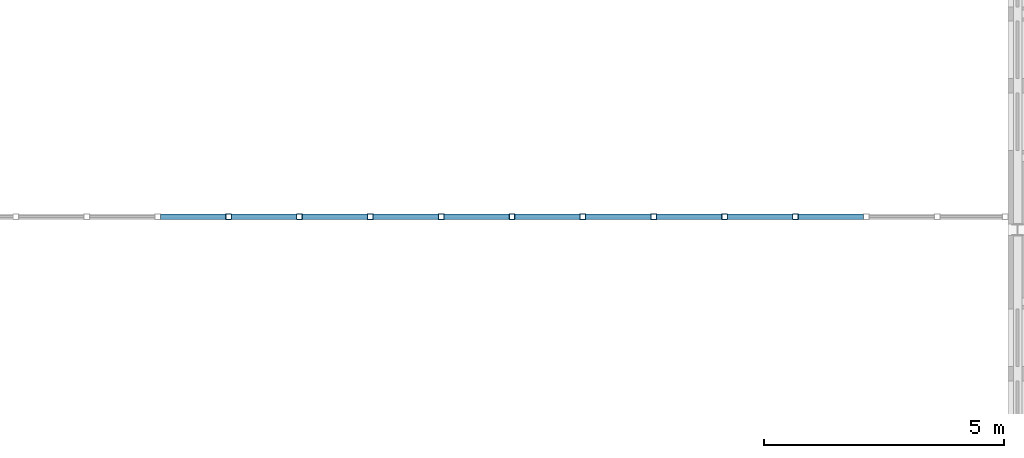
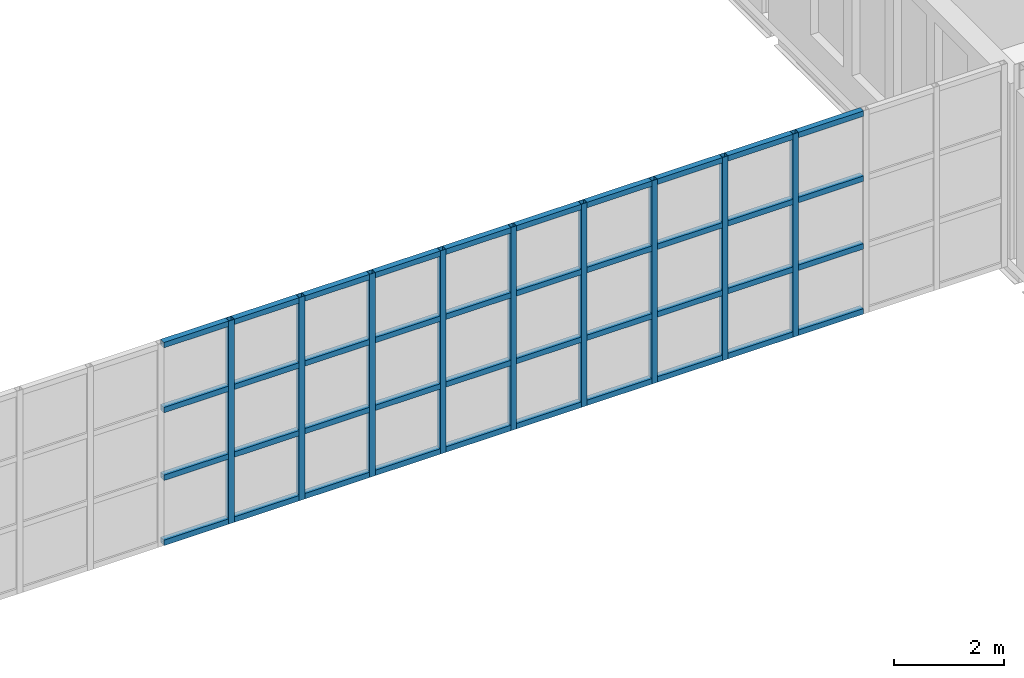
# One storey, part 31 of 131: 49 members, 1 element without a shape of its own.
"""IFC4 building model written with IfcOpenShell, lengths in metres."""

from ifc_helpers import new_model, si_unit, direction, frame, origin, origin_2d, place, context, subcontext, project, spatial, hollow_rectangle, extrude, material, material_profile, profile_set, type_object, element, aggregate, save


model = new_model("IFC4")

# Units and contexts
model_context = context("Model", 3, precision=1e-05, world=origin(), true_north=direction((0.0, 1.0)))
body_context = subcontext(model_context, "Body", "Model", "MODEL_VIEW")
ifc_project = project(units=[si_unit("LENGTHUNIT", "METRE"), si_unit("AREAUNIT", "SQUARE_METRE"), si_unit("VOLUMEUNIT", "CUBIC_METRE"), si_unit("PLANEANGLEUNIT", "RADIAN"), si_unit("MASSUNIT", "GRAM", prefix="KILO")], contexts=[model_context])

# Site, building, storey
site_placement = place(None, origin())
site = spatial("IfcSite", under=ifc_project, at=site_placement, CompositionType="ELEMENT")
building_placement = place(site_placement, origin())
building = spatial("IfcBuilding", under=site, at=building_placement, Name="Golden Quay Civic Hall", CompositionType="ELEMENT")
storey_placement = place(building_placement, frame((0.0, 0.0, 9.89990234375)))
storey = spatial("IfcBuildingStorey", under=building, at=storey_placement, Name="L02", CompositionType="ELEMENT", Elevation=9.89990234375)

# Curtain wall, members
ifc_material_1 = material(Name="Fire-resisting glass and steel", Category="steel")
curtain_wall_type = type_object("IfcCurtainWallType", Name="Fire-resisting glazed curtain wall EI 120", PredefinedType="NOTDEFINED", material=ifc_material_1)
curtain_wall_placement = place(storey_placement, origin())
curtain_wall = element("IfcCurtainWall", 1, at=curtain_wall_placement, inside=storey, type_object=curtain_wall_type, Name="CW3 curtain wall", PredefinedType="NOTDEFINED")
ifc_material_2 = material(Name="Steel S355", Category="steel")
ifc_material_profile_1 = material_profile(ifc_material_2, hollow_rectangle(XDim=0.1201171875, YDim=0.1201171875, WallThickness=0.008056640625, at=origin_2d()), Name="SHS 120x120x8")
ifc_profile_set_1 = profile_set([ifc_material_profile_1], Name="Steel S355")
member_type_1 = type_object("IfcMemberType", Name="Fire-resisting steel mullion SHS 120x120x8", PredefinedType="MULLION", material=ifc_profile_set_1)
member_1_placement = place(storey_placement, frame((82.54443359375, 18.27001953125, -0.199951171875), z_axis=(0.0, 0.0, 1.0), x_axis=(0.0, 1.0, 0.0)))
member_1 = element("IfcMember", 2, at=member_1_placement, type_object=member_type_1, Name="CW3 mullion 8", PredefinedType="MULLION", context=body_context, shape_type="SweptSolid", body=[
    extrude(hollow_rectangle(XDim=0.1201171875, YDim=0.1201171875, WallThickness=0.008056640625, at=origin_2d()), origin(), (0.0, 0.0, 1.0), 4.5),
])
member_2_placement = place(storey_placement, frame((84.022216796875, 18.27001953125, -0.199951171875), z_axis=(0.0, 0.0, 1.0), x_axis=(0.0, 1.0, 0.0)))
member_2 = element("IfcMember", 3, at=member_2_placement, type_object=member_type_1, Name="CW3 mullion 9", PredefinedType="MULLION", context=body_context, shape_type="SweptSolid", body=[
    extrude(hollow_rectangle(XDim=0.1201171875, YDim=0.1201171875, WallThickness=0.008056640625, at=origin_2d()), origin(), (0.0, 0.0, 1.0), 4.5),
])
member_3_placement = place(storey_placement, frame((85.5, 18.27001953125, -0.199951171875), z_axis=(0.0, 0.0, 1.0), x_axis=(0.0, 1.0, 0.0)))
member_3 = element("IfcMember", 4, at=member_3_placement, type_object=member_type_1, Name="CW3 mullion 10", PredefinedType="MULLION", context=body_context, shape_type="SweptSolid", body=[
    extrude(hollow_rectangle(XDim=0.1201171875, YDim=0.1201171875, WallThickness=0.008056640625, at=origin_2d()), origin(), (0.0, 0.0, 1.0), 4.5),
])
member_4_placement = place(storey_placement, frame((86.977783203125, 18.27001953125, -0.199951171875), z_axis=(0.0, 0.0, 1.0), x_axis=(0.0, 1.0, 0.0)))
member_4 = element("IfcMember", 5, at=member_4_placement, type_object=member_type_1, Name="CW3 mullion 11", PredefinedType="MULLION", context=body_context, shape_type="SweptSolid", body=[
    extrude(hollow_rectangle(XDim=0.1201171875, YDim=0.1201171875, WallThickness=0.008056640625, at=origin_2d()), origin(), (0.0, 0.0, 1.0), 4.5),
])
member_5_placement = place(storey_placement, frame((88.45556640625, 18.27001953125, -0.199951171875), z_axis=(0.0, 0.0, 1.0), x_axis=(0.0, 1.0, 0.0)))
member_5 = element("IfcMember", 6, at=member_5_placement, type_object=member_type_1, Name="CW3 mullion 12", PredefinedType="MULLION", context=body_context, shape_type="SweptSolid", body=[
    extrude(hollow_rectangle(XDim=0.1201171875, YDim=0.1201171875, WallThickness=0.008056640625, at=origin_2d()), origin(), (0.0, 0.0, 1.0), 4.5),
])
member_6_placement = place(storey_placement, frame((89.933349609375, 18.27001953125, -0.199951171875), z_axis=(0.0, 0.0, 1.0), x_axis=(0.0, 1.0, 0.0)))
member_6 = element("IfcMember", 7, at=member_6_placement, type_object=member_type_1, Name="CW3 mullion 13", PredefinedType="MULLION", context=body_context, shape_type="SweptSolid", body=[
    extrude(hollow_rectangle(XDim=0.1201171875, YDim=0.1201171875, WallThickness=0.008056640625, at=origin_2d()), origin(), (0.0, 0.0, 1.0), 4.5),
])
member_7_placement = place(storey_placement, frame((91.4111328125, 18.27001953125, -0.199951171875), z_axis=(0.0, 0.0, 1.0), x_axis=(0.0, 1.0, 0.0)))
member_7 = element("IfcMember", 8, at=member_7_placement, type_object=member_type_1, Name="CW3 mullion 14", PredefinedType="MULLION", context=body_context, shape_type="SweptSolid", body=[
    extrude(hollow_rectangle(XDim=0.1201171875, YDim=0.1201171875, WallThickness=0.008056640625, at=origin_2d()), origin(), (0.0, 0.0, 1.0), 4.5),
])
member_8_placement = place(storey_placement, frame((92.888916015625, 18.27001953125, -0.199951171875), z_axis=(0.0, 0.0, 1.0), x_axis=(0.0, 1.0, 0.0)))
member_8 = element("IfcMember", 9, at=member_8_placement, type_object=member_type_1, Name="CW3 mullion 15", PredefinedType="MULLION", context=body_context, shape_type="SweptSolid", body=[
    extrude(hollow_rectangle(XDim=0.1201171875, YDim=0.1201171875, WallThickness=0.008056640625, at=origin_2d()), origin(), (0.0, 0.0, 1.0), 4.5),
])
member_9_placement = place(storey_placement, frame((94.36669921875, 18.27001953125, -0.199951171875), z_axis=(0.0, 0.0, 1.0), x_axis=(0.0, 1.0, 0.0)))
member_9 = element("IfcMember", 10, at=member_9_placement, type_object=member_type_1, Name="CW3 mullion 16", PredefinedType="MULLION", context=body_context, shape_type="SweptSolid", body=[
    extrude(hollow_rectangle(XDim=0.1201171875, YDim=0.1201171875, WallThickness=0.008056640625, at=origin_2d()), origin(), (0.0, 0.0, 1.0), 4.5),
])
ifc_material_3 = material(Name="Steel S355", Category="steel")
ifc_material_profile_2 = material_profile(ifc_material_3, hollow_rectangle(XDim=0.1201171875, YDim=0.1201171875, WallThickness=0.008056640625, at=origin_2d()), Name="SHS 120x120x8")
ifc_profile_set_2 = profile_set([ifc_material_profile_2], Name="Steel S355")
member_type_2 = type_object("IfcMemberType", Name="Fire-resisting steel transom SHS 120x120x8", PredefinedType="USERDEFINED", material=ifc_profile_set_2)
member_10_placement = place(storey_placement, frame((81.126708984375, 18.27001953125, -0.139892578125), z_axis=(1.0, 0.0, 0.0), x_axis=(0.0, 1.0, 0.0)))
member_10 = element("IfcMember", 11, at=member_10_placement, type_object=member_type_2, Name="CW3 transom 7.1", ObjectType="TRANSOM", PredefinedType="USERDEFINED", context=body_context, shape_type="SweptSolid", body=[
    extrude(hollow_rectangle(XDim=0.1201171875, YDim=0.1201171875, WallThickness=0.008056640625, at=origin_2d()), origin(), (0.0, 0.0, 1.0), 1.357666015625),
])
member_11_placement = place(storey_placement, frame((81.126708984375, 18.27001953125, 1.300048828125), z_axis=(1.0, 0.0, 0.0), x_axis=(0.0, 1.0, 0.0)))
member_11 = element("IfcMember", 12, at=member_11_placement, type_object=member_type_2, Name="CW3 transom 7.2", ObjectType="TRANSOM", PredefinedType="USERDEFINED", context=body_context, shape_type="SweptSolid", body=[
    extrude(hollow_rectangle(XDim=0.1201171875, YDim=0.1201171875, WallThickness=0.008056640625, at=origin_2d()), origin(), (0.0, 0.0, 1.0), 1.357666015625),
])
member_12_placement = place(storey_placement, frame((81.126708984375, 18.27001953125, 2.800048828125), z_axis=(1.0, 0.0, 0.0), x_axis=(0.0, 1.0, 0.0)))
member_12 = element("IfcMember", 13, at=member_12_placement, type_object=member_type_2, Name="CW3 transom 7.3", ObjectType="TRANSOM", PredefinedType="USERDEFINED", context=body_context, shape_type="SweptSolid", body=[
    extrude(hollow_rectangle(XDim=0.1201171875, YDim=0.1201171875, WallThickness=0.008056640625, at=origin_2d()), origin(), (0.0, 0.0, 1.0), 1.357666015625),
])
member_13_placement = place(storey_placement, frame((81.126708984375, 18.27001953125, 4.239990234375), z_axis=(1.0, 0.0, 0.0), x_axis=(0.0, 1.0, 0.0)))
member_13 = element("IfcMember", 14, at=member_13_placement, type_object=member_type_2, Name="CW3 transom 7.4", ObjectType="TRANSOM", PredefinedType="USERDEFINED", context=body_context, shape_type="SweptSolid", body=[
    extrude(hollow_rectangle(XDim=0.1201171875, YDim=0.1201171875, WallThickness=0.008056640625, at=origin_2d()), origin(), (0.0, 0.0, 1.0), 1.357666015625),
])
member_14_placement = place(storey_placement, frame((82.6044921875, 18.27001953125, -0.139892578125), z_axis=(1.0, 0.0, 0.0), x_axis=(0.0, 1.0, 0.0)))
member_14 = element("IfcMember", 15, at=member_14_placement, type_object=member_type_2, Name="CW3 transom 8.1", ObjectType="TRANSOM", PredefinedType="USERDEFINED", context=body_context, shape_type="SweptSolid", body=[
    extrude(hollow_rectangle(XDim=0.1201171875, YDim=0.1201171875, WallThickness=0.008056640625, at=origin_2d()), origin(), (0.0, 0.0, 1.0), 1.357666015625),
])
member_15_placement = place(storey_placement, frame((82.6044921875, 18.27001953125, 1.300048828125), z_axis=(1.0, 0.0, 0.0), x_axis=(0.0, 1.0, 0.0)))
member_15 = element("IfcMember", 16, at=member_15_placement, type_object=member_type_2, Name="CW3 transom 8.2", ObjectType="TRANSOM", PredefinedType="USERDEFINED", context=body_context, shape_type="SweptSolid", body=[
    extrude(hollow_rectangle(XDim=0.1201171875, YDim=0.1201171875, WallThickness=0.008056640625, at=origin_2d()), origin(), (0.0, 0.0, 1.0), 1.357666015625),
])
member_16_placement = place(storey_placement, frame((82.6044921875, 18.27001953125, 2.800048828125), z_axis=(1.0, 0.0, 0.0), x_axis=(0.0, 1.0, 0.0)))
member_16 = element("IfcMember", 17, at=member_16_placement, type_object=member_type_2, Name="CW3 transom 8.3", ObjectType="TRANSOM", PredefinedType="USERDEFINED", context=body_context, shape_type="SweptSolid", body=[
    extrude(hollow_rectangle(XDim=0.1201171875, YDim=0.1201171875, WallThickness=0.008056640625, at=origin_2d()), origin(), (0.0, 0.0, 1.0), 1.357666015625),
])
member_17_placement = place(storey_placement, frame((82.6044921875, 18.27001953125, 4.239990234375), z_axis=(1.0, 0.0, 0.0), x_axis=(0.0, 1.0, 0.0)))
member_17 = element("IfcMember", 18, at=member_17_placement, type_object=member_type_2, Name="CW3 transom 8.4", ObjectType="TRANSOM", PredefinedType="USERDEFINED", context=body_context, shape_type="SweptSolid", body=[
    extrude(hollow_rectangle(XDim=0.1201171875, YDim=0.1201171875, WallThickness=0.008056640625, at=origin_2d()), origin(), (0.0, 0.0, 1.0), 1.357666015625),
])
member_18_placement = place(storey_placement, frame((84.082275390625, 18.27001953125, -0.139892578125), z_axis=(1.0, 0.0, 0.0), x_axis=(0.0, 1.0, 0.0)))
member_18 = element("IfcMember", 19, at=member_18_placement, type_object=member_type_2, Name="CW3 transom 9.1", ObjectType="TRANSOM", PredefinedType="USERDEFINED", context=body_context, shape_type="SweptSolid", body=[
    extrude(hollow_rectangle(XDim=0.1201171875, YDim=0.1201171875, WallThickness=0.008056640625, at=origin_2d()), origin(), (0.0, 0.0, 1.0), 1.357666015625),
])
member_19_placement = place(storey_placement, frame((84.082275390625, 18.27001953125, 1.300048828125), z_axis=(1.0, 0.0, 0.0), x_axis=(0.0, 1.0, 0.0)))
member_19 = element("IfcMember", 20, at=member_19_placement, type_object=member_type_2, Name="CW3 transom 9.2", ObjectType="TRANSOM", PredefinedType="USERDEFINED", context=body_context, shape_type="SweptSolid", body=[
    extrude(hollow_rectangle(XDim=0.1201171875, YDim=0.1201171875, WallThickness=0.008056640625, at=origin_2d()), origin(), (0.0, 0.0, 1.0), 1.357666015625),
])
member_20_placement = place(storey_placement, frame((84.082275390625, 18.27001953125, 2.800048828125), z_axis=(1.0, 0.0, 0.0), x_axis=(0.0, 1.0, 0.0)))
member_20 = element("IfcMember", 21, at=member_20_placement, type_object=member_type_2, Name="CW3 transom 9.3", ObjectType="TRANSOM", PredefinedType="USERDEFINED", context=body_context, shape_type="SweptSolid", body=[
    extrude(hollow_rectangle(XDim=0.1201171875, YDim=0.1201171875, WallThickness=0.008056640625, at=origin_2d()), origin(), (0.0, 0.0, 1.0), 1.357666015625),
])
member_21_placement = place(storey_placement, frame((84.082275390625, 18.27001953125, 4.239990234375), z_axis=(1.0, 0.0, 0.0), x_axis=(0.0, 1.0, 0.0)))
member_21 = element("IfcMember", 22, at=member_21_placement, type_object=member_type_2, Name="CW3 transom 9.4", ObjectType="TRANSOM", PredefinedType="USERDEFINED", context=body_context, shape_type="SweptSolid", body=[
    extrude(hollow_rectangle(XDim=0.1201171875, YDim=0.1201171875, WallThickness=0.008056640625, at=origin_2d()), origin(), (0.0, 0.0, 1.0), 1.357666015625),
])
member_22_placement = place(storey_placement, frame((85.56005859375, 18.27001953125, -0.139892578125), z_axis=(1.0, 0.0, 0.0), x_axis=(0.0, 1.0, 0.0)))
member_22 = element("IfcMember", 23, at=member_22_placement, type_object=member_type_2, Name="CW3 transom 10.1", ObjectType="TRANSOM", PredefinedType="USERDEFINED", context=body_context, shape_type="SweptSolid", body=[
    extrude(hollow_rectangle(XDim=0.1201171875, YDim=0.1201171875, WallThickness=0.008056640625, at=origin_2d()), origin(), (0.0, 0.0, 1.0), 1.357666015625),
])
member_23_placement = place(storey_placement, frame((85.56005859375, 18.27001953125, 1.300048828125), z_axis=(1.0, 0.0, 0.0), x_axis=(0.0, 1.0, 0.0)))
member_23 = element("IfcMember", 24, at=member_23_placement, type_object=member_type_2, Name="CW3 transom 10.2", ObjectType="TRANSOM", PredefinedType="USERDEFINED", context=body_context, shape_type="SweptSolid", body=[
    extrude(hollow_rectangle(XDim=0.1201171875, YDim=0.1201171875, WallThickness=0.008056640625, at=origin_2d()), origin(), (0.0, 0.0, 1.0), 1.357666015625),
])
member_24_placement = place(storey_placement, frame((85.56005859375, 18.27001953125, 2.800048828125), z_axis=(1.0, 0.0, 0.0), x_axis=(0.0, 1.0, 0.0)))
member_24 = element("IfcMember", 25, at=member_24_placement, type_object=member_type_2, Name="CW3 transom 10.3", ObjectType="TRANSOM", PredefinedType="USERDEFINED", context=body_context, shape_type="SweptSolid", body=[
    extrude(hollow_rectangle(XDim=0.1201171875, YDim=0.1201171875, WallThickness=0.008056640625, at=origin_2d()), origin(), (0.0, 0.0, 1.0), 1.357666015625),
])
member_25_placement = place(storey_placement, frame((85.56005859375, 18.27001953125, 4.239990234375), z_axis=(1.0, 0.0, 0.0), x_axis=(0.0, 1.0, 0.0)))
member_25 = element("IfcMember", 26, at=member_25_placement, type_object=member_type_2, Name="CW3 transom 10.4", ObjectType="TRANSOM", PredefinedType="USERDEFINED", context=body_context, shape_type="SweptSolid", body=[
    extrude(hollow_rectangle(XDim=0.1201171875, YDim=0.1201171875, WallThickness=0.008056640625, at=origin_2d()), origin(), (0.0, 0.0, 1.0), 1.357666015625),
])
member_26_placement = place(storey_placement, frame((87.037841796875, 18.27001953125, -0.139892578125), z_axis=(1.0, 0.0, 0.0), x_axis=(0.0, 1.0, 0.0)))
member_26 = element("IfcMember", 27, at=member_26_placement, type_object=member_type_2, Name="CW3 transom 11.1", ObjectType="TRANSOM", PredefinedType="USERDEFINED", context=body_context, shape_type="SweptSolid", body=[
    extrude(hollow_rectangle(XDim=0.1201171875, YDim=0.1201171875, WallThickness=0.008056640625, at=origin_2d()), origin(), (0.0, 0.0, 1.0), 1.357666015625),
])
member_27_placement = place(storey_placement, frame((87.037841796875, 18.27001953125, 1.300048828125), z_axis=(1.0, 0.0, 0.0), x_axis=(0.0, 1.0, 0.0)))
member_27 = element("IfcMember", 28, at=member_27_placement, type_object=member_type_2, Name="CW3 transom 11.2", ObjectType="TRANSOM", PredefinedType="USERDEFINED", context=body_context, shape_type="SweptSolid", body=[
    extrude(hollow_rectangle(XDim=0.1201171875, YDim=0.1201171875, WallThickness=0.008056640625, at=origin_2d()), origin(), (0.0, 0.0, 1.0), 1.357666015625),
])
member_28_placement = place(storey_placement, frame((87.037841796875, 18.27001953125, 2.800048828125), z_axis=(1.0, 0.0, 0.0), x_axis=(0.0, 1.0, 0.0)))
member_28 = element("IfcMember", 29, at=member_28_placement, type_object=member_type_2, Name="CW3 transom 11.3", ObjectType="TRANSOM", PredefinedType="USERDEFINED", context=body_context, shape_type="SweptSolid", body=[
    extrude(hollow_rectangle(XDim=0.1201171875, YDim=0.1201171875, WallThickness=0.008056640625, at=origin_2d()), origin(), (0.0, 0.0, 1.0), 1.357666015625),
])
member_29_placement = place(storey_placement, frame((87.037841796875, 18.27001953125, 4.239990234375), z_axis=(1.0, 0.0, 0.0), x_axis=(0.0, 1.0, 0.0)))
member_29 = element("IfcMember", 30, at=member_29_placement, type_object=member_type_2, Name="CW3 transom 11.4", ObjectType="TRANSOM", PredefinedType="USERDEFINED", context=body_context, shape_type="SweptSolid", body=[
    extrude(hollow_rectangle(XDim=0.1201171875, YDim=0.1201171875, WallThickness=0.008056640625, at=origin_2d()), origin(), (0.0, 0.0, 1.0), 1.357666015625),
])
member_30_placement = place(storey_placement, frame((88.515625, 18.27001953125, -0.139892578125), z_axis=(1.0, 0.0, 0.0), x_axis=(0.0, 1.0, 0.0)))
member_30 = element("IfcMember", 31, at=member_30_placement, type_object=member_type_2, Name="CW3 transom 12.1", ObjectType="TRANSOM", PredefinedType="USERDEFINED", context=body_context, shape_type="SweptSolid", body=[
    extrude(hollow_rectangle(XDim=0.1201171875, YDim=0.1201171875, WallThickness=0.008056640625, at=origin_2d()), origin(), (0.0, 0.0, 1.0), 1.357666015625),
])
member_31_placement = place(storey_placement, frame((88.515625, 18.27001953125, 1.300048828125), z_axis=(1.0, 0.0, 0.0), x_axis=(0.0, 1.0, 0.0)))
member_31 = element("IfcMember", 32, at=member_31_placement, type_object=member_type_2, Name="CW3 transom 12.2", ObjectType="TRANSOM", PredefinedType="USERDEFINED", context=body_context, shape_type="SweptSolid", body=[
    extrude(hollow_rectangle(XDim=0.1201171875, YDim=0.1201171875, WallThickness=0.008056640625, at=origin_2d()), origin(), (0.0, 0.0, 1.0), 1.357666015625),
])
member_32_placement = place(storey_placement, frame((88.515625, 18.27001953125, 2.800048828125), z_axis=(1.0, 0.0, 0.0), x_axis=(0.0, 1.0, 0.0)))
member_32 = element("IfcMember", 33, at=member_32_placement, type_object=member_type_2, Name="CW3 transom 12.3", ObjectType="TRANSOM", PredefinedType="USERDEFINED", context=body_context, shape_type="SweptSolid", body=[
    extrude(hollow_rectangle(XDim=0.1201171875, YDim=0.1201171875, WallThickness=0.008056640625, at=origin_2d()), origin(), (0.0, 0.0, 1.0), 1.357666015625),
])
member_33_placement = place(storey_placement, frame((88.515625, 18.27001953125, 4.239990234375), z_axis=(1.0, 0.0, 0.0), x_axis=(0.0, 1.0, 0.0)))
member_33 = element("IfcMember", 34, at=member_33_placement, type_object=member_type_2, Name="CW3 transom 12.4", ObjectType="TRANSOM", PredefinedType="USERDEFINED", context=body_context, shape_type="SweptSolid", body=[
    extrude(hollow_rectangle(XDim=0.1201171875, YDim=0.1201171875, WallThickness=0.008056640625, at=origin_2d()), origin(), (0.0, 0.0, 1.0), 1.357666015625),
])
member_34_placement = place(storey_placement, frame((89.993408203125, 18.27001953125, -0.139892578125), z_axis=(1.0, 0.0, 0.0), x_axis=(0.0, 1.0, 0.0)))
member_34 = element("IfcMember", 35, at=member_34_placement, type_object=member_type_2, Name="CW3 transom 13.1", ObjectType="TRANSOM", PredefinedType="USERDEFINED", context=body_context, shape_type="SweptSolid", body=[
    extrude(hollow_rectangle(XDim=0.1201171875, YDim=0.1201171875, WallThickness=0.008056640625, at=origin_2d()), origin(), (0.0, 0.0, 1.0), 1.357666015625),
])
member_35_placement = place(storey_placement, frame((89.993408203125, 18.27001953125, 1.300048828125), z_axis=(1.0, 0.0, 0.0), x_axis=(0.0, 1.0, 0.0)))
member_35 = element("IfcMember", 36, at=member_35_placement, type_object=member_type_2, Name="CW3 transom 13.2", ObjectType="TRANSOM", PredefinedType="USERDEFINED", context=body_context, shape_type="SweptSolid", body=[
    extrude(hollow_rectangle(XDim=0.1201171875, YDim=0.1201171875, WallThickness=0.008056640625, at=origin_2d()), origin(), (0.0, 0.0, 1.0), 1.357666015625),
])
member_36_placement = place(storey_placement, frame((89.993408203125, 18.27001953125, 2.800048828125), z_axis=(1.0, 0.0, 0.0), x_axis=(0.0, 1.0, 0.0)))
member_36 = element("IfcMember", 37, at=member_36_placement, type_object=member_type_2, Name="CW3 transom 13.3", ObjectType="TRANSOM", PredefinedType="USERDEFINED", context=body_context, shape_type="SweptSolid", body=[
    extrude(hollow_rectangle(XDim=0.1201171875, YDim=0.1201171875, WallThickness=0.008056640625, at=origin_2d()), origin(), (0.0, 0.0, 1.0), 1.357666015625),
])
member_37_placement = place(storey_placement, frame((89.993408203125, 18.27001953125, 4.239990234375), z_axis=(1.0, 0.0, 0.0), x_axis=(0.0, 1.0, 0.0)))
member_37 = element("IfcMember", 38, at=member_37_placement, type_object=member_type_2, Name="CW3 transom 13.4", ObjectType="TRANSOM", PredefinedType="USERDEFINED", context=body_context, shape_type="SweptSolid", body=[
    extrude(hollow_rectangle(XDim=0.1201171875, YDim=0.1201171875, WallThickness=0.008056640625, at=origin_2d()), origin(), (0.0, 0.0, 1.0), 1.357666015625),
])
member_38_placement = place(storey_placement, frame((91.47119140625, 18.27001953125, -0.139892578125), z_axis=(1.0, 0.0, 0.0), x_axis=(0.0, 1.0, 0.0)))
member_38 = element("IfcMember", 39, at=member_38_placement, type_object=member_type_2, Name="CW3 transom 14.1", ObjectType="TRANSOM", PredefinedType="USERDEFINED", context=body_context, shape_type="SweptSolid", body=[
    extrude(hollow_rectangle(XDim=0.1201171875, YDim=0.1201171875, WallThickness=0.008056640625, at=origin_2d()), origin(), (0.0, 0.0, 1.0), 1.357666015625),
])
member_39_placement = place(storey_placement, frame((91.47119140625, 18.27001953125, 1.300048828125), z_axis=(1.0, 0.0, 0.0), x_axis=(0.0, 1.0, 0.0)))
member_39 = element("IfcMember", 40, at=member_39_placement, type_object=member_type_2, Name="CW3 transom 14.2", ObjectType="TRANSOM", PredefinedType="USERDEFINED", context=body_context, shape_type="SweptSolid", body=[
    extrude(hollow_rectangle(XDim=0.1201171875, YDim=0.1201171875, WallThickness=0.008056640625, at=origin_2d()), origin(), (0.0, 0.0, 1.0), 1.357666015625),
])
member_40_placement = place(storey_placement, frame((91.47119140625, 18.27001953125, 2.800048828125), z_axis=(1.0, 0.0, 0.0), x_axis=(0.0, 1.0, 0.0)))
member_40 = element("IfcMember", 41, at=member_40_placement, type_object=member_type_2, Name="CW3 transom 14.3", ObjectType="TRANSOM", PredefinedType="USERDEFINED", context=body_context, shape_type="SweptSolid", body=[
    extrude(hollow_rectangle(XDim=0.1201171875, YDim=0.1201171875, WallThickness=0.008056640625, at=origin_2d()), origin(), (0.0, 0.0, 1.0), 1.357666015625),
])
member_41_placement = place(storey_placement, frame((91.47119140625, 18.27001953125, 4.239990234375), z_axis=(1.0, 0.0, 0.0), x_axis=(0.0, 1.0, 0.0)))
member_41 = element("IfcMember", 42, at=member_41_placement, type_object=member_type_2, Name="CW3 transom 14.4", ObjectType="TRANSOM", PredefinedType="USERDEFINED", context=body_context, shape_type="SweptSolid", body=[
    extrude(hollow_rectangle(XDim=0.1201171875, YDim=0.1201171875, WallThickness=0.008056640625, at=origin_2d()), origin(), (0.0, 0.0, 1.0), 1.357666015625),
])
member_42_placement = place(storey_placement, frame((92.948974609375, 18.27001953125, -0.139892578125), z_axis=(1.0, 0.0, 0.0), x_axis=(0.0, 1.0, 0.0)))
member_42 = element("IfcMember", 43, at=member_42_placement, type_object=member_type_2, Name="CW3 transom 15.1", ObjectType="TRANSOM", PredefinedType="USERDEFINED", context=body_context, shape_type="SweptSolid", body=[
    extrude(hollow_rectangle(XDim=0.1201171875, YDim=0.1201171875, WallThickness=0.008056640625, at=origin_2d()), origin(), (0.0, 0.0, 1.0), 1.357666015625),
])
member_43_placement = place(storey_placement, frame((92.948974609375, 18.27001953125, 1.300048828125), z_axis=(1.0, 0.0, 0.0), x_axis=(0.0, 1.0, 0.0)))
member_43 = element("IfcMember", 44, at=member_43_placement, type_object=member_type_2, Name="CW3 transom 15.2", ObjectType="TRANSOM", PredefinedType="USERDEFINED", context=body_context, shape_type="SweptSolid", body=[
    extrude(hollow_rectangle(XDim=0.1201171875, YDim=0.1201171875, WallThickness=0.008056640625, at=origin_2d()), origin(), (0.0, 0.0, 1.0), 1.357666015625),
])
member_44_placement = place(storey_placement, frame((92.948974609375, 18.27001953125, 2.800048828125), z_axis=(1.0, 0.0, 0.0), x_axis=(0.0, 1.0, 0.0)))
member_44 = element("IfcMember", 45, at=member_44_placement, type_object=member_type_2, Name="CW3 transom 15.3", ObjectType="TRANSOM", PredefinedType="USERDEFINED", context=body_context, shape_type="SweptSolid", body=[
    extrude(hollow_rectangle(XDim=0.1201171875, YDim=0.1201171875, WallThickness=0.008056640625, at=origin_2d()), origin(), (0.0, 0.0, 1.0), 1.357666015625),
])
member_45_placement = place(storey_placement, frame((92.948974609375, 18.27001953125, 4.239990234375), z_axis=(1.0, 0.0, 0.0), x_axis=(0.0, 1.0, 0.0)))
member_45 = element("IfcMember", 46, at=member_45_placement, type_object=member_type_2, Name="CW3 transom 15.4", ObjectType="TRANSOM", PredefinedType="USERDEFINED", context=body_context, shape_type="SweptSolid", body=[
    extrude(hollow_rectangle(XDim=0.1201171875, YDim=0.1201171875, WallThickness=0.008056640625, at=origin_2d()), origin(), (0.0, 0.0, 1.0), 1.357666015625),
])
member_46_placement = place(storey_placement, frame((94.4267578125, 18.27001953125, -0.139892578125), z_axis=(1.0, 0.0, 0.0), x_axis=(0.0, 1.0, 0.0)))
member_46 = element("IfcMember", 47, at=member_46_placement, type_object=member_type_2, Name="CW3 transom 16.1", ObjectType="TRANSOM", PredefinedType="USERDEFINED", context=body_context, shape_type="SweptSolid", body=[
    extrude(hollow_rectangle(XDim=0.1201171875, YDim=0.1201171875, WallThickness=0.008056640625, at=origin_2d()), origin(), (0.0, 0.0, 1.0), 1.357666015625),
])
member_47_placement = place(storey_placement, frame((94.4267578125, 18.27001953125, 1.300048828125), z_axis=(1.0, 0.0, 0.0), x_axis=(0.0, 1.0, 0.0)))
member_47 = element("IfcMember", 48, at=member_47_placement, type_object=member_type_2, Name="CW3 transom 16.2", ObjectType="TRANSOM", PredefinedType="USERDEFINED", context=body_context, shape_type="SweptSolid", body=[
    extrude(hollow_rectangle(XDim=0.1201171875, YDim=0.1201171875, WallThickness=0.008056640625, at=origin_2d()), origin(), (0.0, 0.0, 1.0), 1.357666015625),
])
member_48_placement = place(storey_placement, frame((94.4267578125, 18.27001953125, 2.800048828125), z_axis=(1.0, 0.0, 0.0), x_axis=(0.0, 1.0, 0.0)))
member_48 = element("IfcMember", 49, at=member_48_placement, type_object=member_type_2, Name="CW3 transom 16.3", ObjectType="TRANSOM", PredefinedType="USERDEFINED", context=body_context, shape_type="SweptSolid", body=[
    extrude(hollow_rectangle(XDim=0.1201171875, YDim=0.1201171875, WallThickness=0.008056640625, at=origin_2d()), origin(), (0.0, 0.0, 1.0), 1.357666015625),
])
member_49_placement = place(storey_placement, frame((94.4267578125, 18.27001953125, 4.239990234375), z_axis=(1.0, 0.0, 0.0), x_axis=(0.0, 1.0, 0.0)))
member_49 = element("IfcMember", 50, at=member_49_placement, type_object=member_type_2, Name="CW3 transom 16.4", ObjectType="TRANSOM", PredefinedType="USERDEFINED", context=body_context, shape_type="SweptSolid", body=[
    extrude(hollow_rectangle(XDim=0.1201171875, YDim=0.1201171875, WallThickness=0.008056640625, at=origin_2d()), origin(), (0.0, 0.0, 1.0), 1.357666015625),
])
aggregate(curtain_wall, [member_1, member_2, member_3, member_4, member_5, member_6, member_7, member_8, member_9, member_10, member_11, member_12, member_13, member_14, member_15, member_16, member_17, member_18, member_19, member_20, member_21, member_22, member_23, member_24, member_25, member_26, member_27, member_28, member_29, member_30, member_31, member_32, member_33, member_34, member_35, member_36, member_37, member_38, member_39, member_40, member_41, member_42, member_43, member_44, member_45, member_46, member_47, member_48, member_49])

save(model, "model.ifc")
